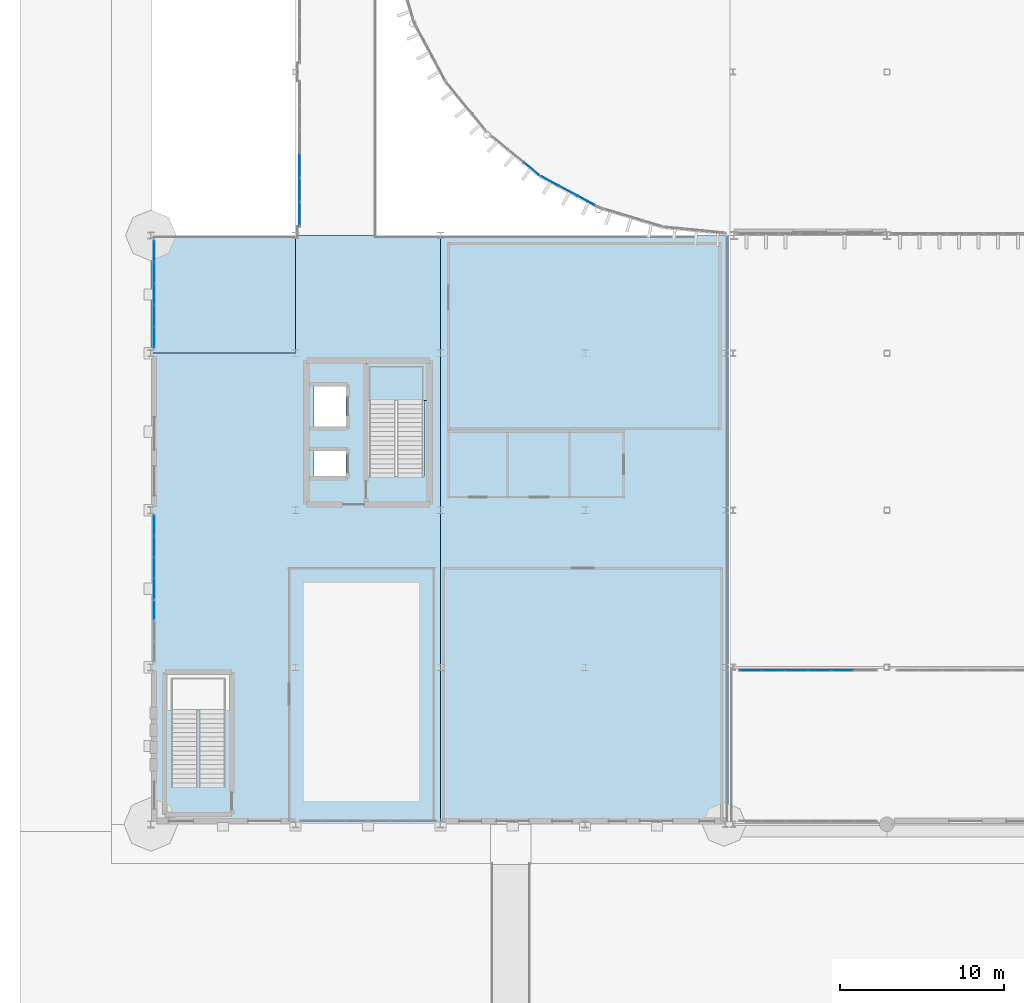
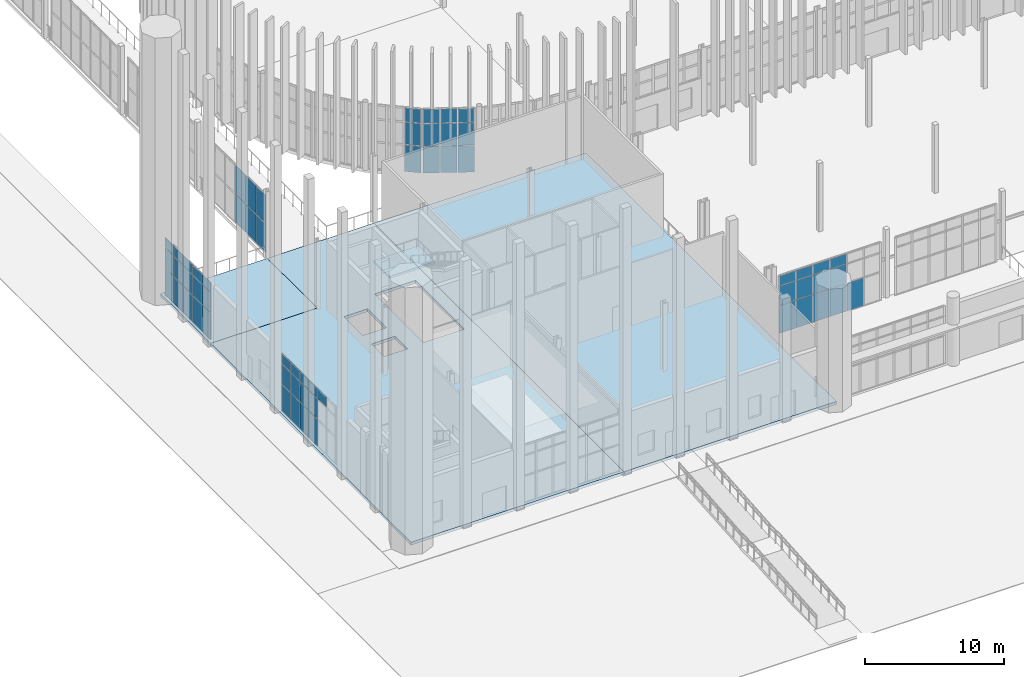
# One storey, part 69 of 139: 59 plates, 4 slabs, 7 elements without a shape of their own.
"""IFC4 building model written with IfcOpenShell, lengths in metres."""

from ifc_helpers import new_model, si_unit, direction, frame, origin, origin_2d, place, context, subcontext, project, spatial, polyline, rectangle, outline, extrude, material, layer, layer_set, type_object, element, aggregate, save


model = new_model("IFC4")

# Units and contexts
model_context = context("Model", 3, precision=1e-05, world=origin(), true_north=direction((0.0, 1.0)))
body_context = subcontext(model_context, "Body", "Model", "MODEL_VIEW")
ifc_project = project(units=[si_unit("LENGTHUNIT", "METRE"), si_unit("AREAUNIT", "SQUARE_METRE"), si_unit("VOLUMEUNIT", "CUBIC_METRE"), si_unit("PLANEANGLEUNIT", "RADIAN"), si_unit("MASSUNIT", "GRAM", prefix="KILO")], contexts=[model_context])

# Site, building, storey
site_placement = place(None, origin())
site = spatial("IfcSite", under=ifc_project, at=site_placement, CompositionType="ELEMENT")
building_placement = place(site_placement, origin())
building = spatial("IfcBuilding", under=site, at=building_placement, Name="Yeouljin Market Hall", CompositionType="ELEMENT")
storey_placement = place(building_placement, origin())
storey = spatial("IfcBuildingStorey", under=building, at=storey_placement, Name="L00", CompositionType="ELEMENT", Elevation=0.0)

# Curtain wall, plates
ifc_material_1 = material(Name="Thermally Broken Aluminium", Category="aluminium")
ifc_layer_1 = layer(ifc_material_1, 0.179931640625)
ifc_layer_set_1 = layer_set([ifc_layer_1], Name="Thermally Broken Aluminium")
curtain_wall_type_1 = type_object("IfcCurtainWallType", Name="CW_ApseCurved_System", PredefinedType="USERDEFINED", material=ifc_layer_set_1)
curtain_wall_1_placement = place(storey_placement, origin())
curtain_wall_1 = element("IfcCurtainWall", 1, at=curtain_wall_1_placement, inside=storey, type_object=curtain_wall_type_1, Name="Curtain wall CW-AP-WL00-03", ObjectType="CURTAIN WALL", PredefinedType="USERDEFINED")
ifc_material_2 = material(Name="Low-E Insulated Glass", Category="glass")
ifc_layer_2 = layer(ifc_material_2, 0.031982421875)
ifc_layer_set_2 = layer_set([ifc_layer_2], Name="Low-E Insulated Glass")
plate_type_1 = type_object("IfcPlateType", Name="CWPanel_AcousticGlass_32", PredefinedType="CURTAIN_PANEL", material=ifc_layer_set_2)
plate_1_placement = place(storey_placement, frame((26.597412109375, 38.1435546875, 0.0478515625), z_axis=(0.0, 0.0, 1.0), x_axis=(-0.881931478712, 0.471377626598, 0.0)))
plate_1 = element("IfcPlate", 2, at=plate_1_placement, type_object=plate_type_1, Name="CW-03 panel 1.1", PredefinedType="CURTAIN_PANEL", context=body_context, shape_type="SweptSolid", body=[
    extrude(rectangle(XDim=1.185791015625, YDim=0.031982421875, at=origin_2d()), origin(), (0.0, 0.0, 1.0), 2.327880859375),
])
plate_2_placement = place(storey_placement, frame((26.597412109375, 38.1435546875, 2.423828125), z_axis=(0.0, 0.0, 1.0), x_axis=(-0.881931478712, 0.471377626598, 0.0)))
plate_2 = element("IfcPlate", 3, at=plate_2_placement, type_object=plate_type_1, Name="CW-03 panel 1.2", PredefinedType="CURTAIN_PANEL", context=body_context, shape_type="SweptSolid", body=[
    extrude(rectangle(XDim=1.185791015625, YDim=0.031982421875, at=origin_2d()), origin(), (0.0, 0.0, 1.0), 1.951904296875),
])
plate_3_placement = place(storey_placement, frame((26.597412109375, 38.1435546875, 4.424072265625), z_axis=(0.0, 0.0, 1.0), x_axis=(-0.881931478712, 0.471377626598, 0.0)))
plate_3 = element("IfcPlate", 4, at=plate_3_placement, type_object=plate_type_1, Name="CW-03 panel 1.3", PredefinedType="CURTAIN_PANEL", context=body_context, shape_type="SweptSolid", body=[
    extrude(rectangle(XDim=1.185791015625, YDim=0.031982421875, at=origin_2d()), origin(), (0.0, 0.0, 1.0), 1.2080078125),
])
plate_4_placement = place(storey_placement, frame((25.498779296875, 38.730712890625, 0.0478515625), z_axis=(0.0, 0.0, 1.0), x_axis=(-0.881931478712, 0.471377626598, 0.0)))
plate_4 = element("IfcPlate", 5, at=plate_4_placement, type_object=plate_type_1, Name="CW-03 panel 2.1", PredefinedType="CURTAIN_PANEL", context=body_context, shape_type="SweptSolid", body=[
    extrude(rectangle(XDim=1.209716796875, YDim=0.031982421875, at=origin_2d()), origin(), (0.0, 0.0, 1.0), 2.327880859375),
])
plate_5_placement = place(storey_placement, frame((25.498779296875, 38.730712890625, 2.423828125), z_axis=(0.0, 0.0, 1.0), x_axis=(-0.881931478712, 0.471377626598, 0.0)))
plate_5 = element("IfcPlate", 6, at=plate_5_placement, type_object=plate_type_1, Name="CW-03 panel 2.2", PredefinedType="CURTAIN_PANEL", context=body_context, shape_type="SweptSolid", body=[
    extrude(rectangle(XDim=1.209716796875, YDim=0.031982421875, at=origin_2d()), origin(), (0.0, 0.0, 1.0), 1.951904296875),
])
plate_6_placement = place(storey_placement, frame((25.498779296875, 38.730712890625, 4.424072265625), z_axis=(0.0, 0.0, 1.0), x_axis=(-0.881931478712, 0.471377626598, 0.0)))
plate_6 = element("IfcPlate", 7, at=plate_6_placement, type_object=plate_type_1, Name="CW-03 panel 2.3", PredefinedType="CURTAIN_PANEL", context=body_context, shape_type="SweptSolid", body=[
    extrude(rectangle(XDim=1.209716796875, YDim=0.031982421875, at=origin_2d()), origin(), (0.0, 0.0, 1.0), 1.2080078125),
])
plate_7_placement = place(storey_placement, frame((24.400146484375, 39.31787109375, 0.0478515625), z_axis=(0.0, 0.0, 1.0), x_axis=(-0.881931478712, 0.471377626598, 0.0)))
plate_7 = element("IfcPlate", 8, at=plate_7_placement, type_object=plate_type_1, Name="CW-03 panel 3.1", PredefinedType="CURTAIN_PANEL", context=body_context, shape_type="SweptSolid", body=[
    extrude(rectangle(XDim=1.185791015625, YDim=0.031982421875, at=origin_2d()), origin(), (0.0, 0.0, 1.0), 2.327880859375),
])
plate_8_placement = place(storey_placement, frame((24.400146484375, 39.31787109375, 2.423828125), z_axis=(0.0, 0.0, 1.0), x_axis=(-0.881931478712, 0.471377626598, 0.0)))
plate_8 = element("IfcPlate", 9, at=plate_8_placement, type_object=plate_type_1, Name="CW-03 panel 3.2", PredefinedType="CURTAIN_PANEL", context=body_context, shape_type="SweptSolid", body=[
    extrude(rectangle(XDim=1.185791015625, YDim=0.031982421875, at=origin_2d()), origin(), (0.0, 0.0, 1.0), 1.951904296875),
])
plate_9_placement = place(storey_placement, frame((24.400146484375, 39.31787109375, 4.424072265625), z_axis=(0.0, 0.0, 1.0), x_axis=(-0.881931478712, 0.471377626598, 0.0)))
plate_9 = element("IfcPlate", 10, at=plate_9_placement, type_object=plate_type_1, Name="CW-03 panel 3.3", PredefinedType="CURTAIN_PANEL", context=body_context, shape_type="SweptSolid", body=[
    extrude(rectangle(XDim=1.185791015625, YDim=0.031982421875, at=origin_2d()), origin(), (0.0, 0.0, 1.0), 1.2080078125),
])
aggregate(curtain_wall_1, [plate_1, plate_2, plate_3, plate_4, plate_5, plate_6, plate_7, plate_8, plate_9])

curtain_wall_2_placement = place(storey_placement, origin())
curtain_wall_2 = element("IfcCurtainWall", 11, at=curtain_wall_2_placement, inside=storey, type_object=curtain_wall_type_1, Name="Curtain wall CW-AP-WL00-04", ObjectType="CURTAIN WALL", PredefinedType="USERDEFINED")
plate_10_placement = place(storey_placement, frame((23.2734375, 40.07080078125, 0.0478515625), z_axis=(0.0, 0.0, 1.0), x_axis=(-0.773017717982, 0.634384432096, 0.0)))
plate_10 = element("IfcPlate", 12, at=plate_10_placement, type_object=plate_type_1, Name="CW-03 panel 1.1", PredefinedType="CURTAIN_PANEL", context=body_context, shape_type="SweptSolid", body=[
    extrude(rectangle(XDim=1.185791015625, YDim=0.031982421875, at=origin_2d()), origin(), (0.0, 0.0, 1.0), 2.327880859375),
])
plate_11_placement = place(storey_placement, frame((23.2734375, 40.07080078125, 2.423828125), z_axis=(0.0, 0.0, 1.0), x_axis=(-0.773017717982, 0.634384432096, 0.0)))
plate_11 = element("IfcPlate", 13, at=plate_11_placement, type_object=plate_type_1, Name="CW-03 panel 1.2", PredefinedType="CURTAIN_PANEL", context=body_context, shape_type="SweptSolid", body=[
    extrude(rectangle(XDim=1.185791015625, YDim=0.031982421875, at=origin_2d()), origin(), (0.0, 0.0, 1.0), 1.951904296875),
])
plate_12_placement = place(storey_placement, frame((23.2734375, 40.07080078125, 4.424072265625), z_axis=(0.0, 0.0, 1.0), x_axis=(-0.773017717982, 0.634384432096, 0.0)))
plate_12 = element("IfcPlate", 14, at=plate_12_placement, type_object=plate_type_1, Name="CW-03 panel 1.3", PredefinedType="CURTAIN_PANEL", context=body_context, shape_type="SweptSolid", body=[
    extrude(rectangle(XDim=1.185791015625, YDim=0.031982421875, at=origin_2d()), origin(), (0.0, 0.0, 1.0), 1.2080078125),
])
aggregate(curtain_wall_2, [plate_10, plate_11, plate_12])

ifc_material_3 = material(Name="Thermally Broken Aluminium", Category="aluminium")
ifc_layer_3 = layer(ifc_material_3, 0.14990234375)
ifc_layer_set_3 = layer_set([ifc_layer_3], Name="Thermally Broken Aluminium")
curtain_wall_type_2 = type_object("IfcCurtainWallType", Name="CW_WingStorefront_System", PredefinedType="USERDEFINED", material=ifc_layer_set_3)
curtain_wall_3_placement = place(storey_placement, origin())
curtain_wall_3 = element("IfcCurtainWall", 15, at=curtain_wall_3_placement, inside=storey, type_object=curtain_wall_type_2, Name="Curtain wall CW-V2W-L00-2", ObjectType="CURTAIN WALL", PredefinedType="USERDEFINED")
ifc_material_4 = material(Name="Low-E Insulated Glass", Category="glass")
ifc_layer_4 = layer(ifc_material_4, 0.028076171875)
ifc_layer_set_4 = layer_set([ifc_layer_4], Name="Low-E Insulated Glass")
plate_type_2 = type_object("IfcPlateType", Name="CWPanel_LowE_28", PredefinedType="CURTAIN_PANEL", material=ifc_layer_set_4)
plate_13_placement = place(storey_placement, frame((0.199951171875, 13.1142578125, 4.22412109375), z_axis=(0.0, 0.0, 1.0), x_axis=(0.0, 1.0, 0.0)))
plate_13 = element("IfcPlate", 16, at=plate_13_placement, type_object=plate_type_2, Name="CW-04 panel 3.3", PredefinedType="CURTAIN_PANEL", context=body_context, shape_type="SweptSolid", body=[
    extrude(rectangle(XDim=1.23779296875, YDim=0.028076171875, at=origin_2d()), origin(), (0.0, 0.0, 1.0), 0.847900390625),
])
plate_14_placement = place(storey_placement, frame((0.199951171875, 14.39990234375, 0.0478515625), z_axis=(0.0, 0.0, 1.0), x_axis=(0.0, 1.0, 0.0)))
plate_14 = element("IfcPlate", 17, at=plate_14_placement, type_object=plate_type_2, Name="CW-04 panel 4.1", PredefinedType="CURTAIN_PANEL", context=body_context, shape_type="SweptSolid", body=[
    extrude(rectangle(XDim=1.23779296875, YDim=0.028076171875, at=origin_2d()), origin(), (0.0, 0.0, 1.0), 2.327880859375),
])
plate_15_placement = place(storey_placement, frame((0.199951171875, 14.39990234375, 2.424072265625), z_axis=(0.0, 0.0, 1.0), x_axis=(0.0, 1.0, 0.0)))
plate_15 = element("IfcPlate", 18, at=plate_15_placement, type_object=plate_type_2, Name="CW-04 panel 4.2", PredefinedType="CURTAIN_PANEL", context=body_context, shape_type="SweptSolid", body=[
    extrude(rectangle(XDim=1.23779296875, YDim=0.028076171875, at=origin_2d()), origin(), (0.0, 0.0, 1.0), 1.751953125),
])
plate_16_placement = place(storey_placement, frame((0.199951171875, 14.39990234375, 4.22412109375), z_axis=(0.0, 0.0, 1.0), x_axis=(0.0, 1.0, 0.0)))
plate_16 = element("IfcPlate", 19, at=plate_16_placement, type_object=plate_type_2, Name="CW-04 panel 4.3", PredefinedType="CURTAIN_PANEL", context=body_context, shape_type="SweptSolid", body=[
    extrude(rectangle(XDim=1.23779296875, YDim=0.028076171875, at=origin_2d()), origin(), (0.0, 0.0, 1.0), 0.847900390625),
])
plate_17_placement = place(storey_placement, frame((0.199951171875, 15.685791015625, 0.0478515625), z_axis=(0.0, 0.0, 1.0), x_axis=(0.0, 1.0, 0.0)))
plate_17 = element("IfcPlate", 20, at=plate_17_placement, type_object=plate_type_2, Name="CW-04 panel 5.1", PredefinedType="CURTAIN_PANEL", context=body_context, shape_type="SweptSolid", body=[
    extrude(rectangle(XDim=1.23779296875, YDim=0.028076171875, at=origin_2d()), origin(), (0.0, 0.0, 1.0), 2.327880859375),
])
plate_18_placement = place(storey_placement, frame((0.199951171875, 15.685791015625, 2.424072265625), z_axis=(0.0, 0.0, 1.0), x_axis=(0.0, 1.0, 0.0)))
plate_18 = element("IfcPlate", 21, at=plate_18_placement, type_object=plate_type_2, Name="CW-04 panel 5.2", PredefinedType="CURTAIN_PANEL", context=body_context, shape_type="SweptSolid", body=[
    extrude(rectangle(XDim=1.23779296875, YDim=0.028076171875, at=origin_2d()), origin(), (0.0, 0.0, 1.0), 1.751953125),
])
plate_19_placement = place(storey_placement, frame((0.199951171875, 15.685791015625, 4.22412109375), z_axis=(0.0, 0.0, 1.0), x_axis=(0.0, 1.0, 0.0)))
plate_19 = element("IfcPlate", 22, at=plate_19_placement, type_object=plate_type_2, Name="CW-04 panel 5.3", PredefinedType="CURTAIN_PANEL", context=body_context, shape_type="SweptSolid", body=[
    extrude(rectangle(XDim=1.23779296875, YDim=0.028076171875, at=origin_2d()), origin(), (0.0, 0.0, 1.0), 0.847900390625),
])
plate_20_placement = place(storey_placement, frame((0.199951171875, 16.971435546875, 0.0478515625), z_axis=(0.0, 0.0, 1.0), x_axis=(0.0, 1.0, 0.0)))
plate_20 = element("IfcPlate", 23, at=plate_20_placement, type_object=plate_type_2, Name="CW-04 panel 6.1", PredefinedType="CURTAIN_PANEL", context=body_context, shape_type="SweptSolid", body=[
    extrude(rectangle(XDim=1.23779296875, YDim=0.028076171875, at=origin_2d()), origin(), (0.0, 0.0, 1.0), 2.327880859375),
])
plate_21_placement = place(storey_placement, frame((0.199951171875, 16.971435546875, 2.424072265625), z_axis=(0.0, 0.0, 1.0), x_axis=(0.0, 1.0, 0.0)))
plate_21 = element("IfcPlate", 24, at=plate_21_placement, type_object=plate_type_2, Name="CW-04 panel 6.2", PredefinedType="CURTAIN_PANEL", context=body_context, shape_type="SweptSolid", body=[
    extrude(rectangle(XDim=1.23779296875, YDim=0.028076171875, at=origin_2d()), origin(), (0.0, 0.0, 1.0), 1.751953125),
])
plate_22_placement = place(storey_placement, frame((0.199951171875, 16.971435546875, 4.22412109375), z_axis=(0.0, 0.0, 1.0), x_axis=(0.0, 1.0, 0.0)))
plate_22 = element("IfcPlate", 25, at=plate_22_placement, type_object=plate_type_2, Name="CW-04 panel 6.3", PredefinedType="CURTAIN_PANEL", context=body_context, shape_type="SweptSolid", body=[
    extrude(rectangle(XDim=1.23779296875, YDim=0.028076171875, at=origin_2d()), origin(), (0.0, 0.0, 1.0), 0.847900390625),
])
plate_23_placement = place(storey_placement, frame((0.199951171875, 18.2451171875, 0.0478515625), z_axis=(0.0, 0.0, 1.0), x_axis=(0.0, 1.0, 0.0)))
plate_23 = element("IfcPlate", 26, at=plate_23_placement, type_object=plate_type_2, Name="CW-04 panel 7.1", PredefinedType="CURTAIN_PANEL", context=body_context, shape_type="SweptSolid", body=[
    extrude(rectangle(XDim=1.213623046875, YDim=0.028076171875, at=origin_2d()), origin(), (0.0, 0.0, 1.0), 2.327880859375),
])
plate_24_placement = place(storey_placement, frame((0.199951171875, 18.2451171875, 2.424072265625), z_axis=(0.0, 0.0, 1.0), x_axis=(0.0, 1.0, 0.0)))
plate_24 = element("IfcPlate", 27, at=plate_24_placement, type_object=plate_type_2, Name="CW-04 panel 7.2", PredefinedType="CURTAIN_PANEL", context=body_context, shape_type="SweptSolid", body=[
    extrude(rectangle(XDim=1.213623046875, YDim=0.028076171875, at=origin_2d()), origin(), (0.0, 0.0, 1.0), 1.751953125),
])
plate_25_placement = place(storey_placement, frame((0.199951171875, 18.2451171875, 4.22412109375), z_axis=(0.0, 0.0, 1.0), x_axis=(0.0, 1.0, 0.0)))
plate_25 = element("IfcPlate", 28, at=plate_25_placement, type_object=plate_type_2, Name="CW-04 panel 7.3", PredefinedType="CURTAIN_PANEL", context=body_context, shape_type="SweptSolid", body=[
    extrude(rectangle(XDim=1.213623046875, YDim=0.028076171875, at=origin_2d()), origin(), (0.0, 0.0, 1.0), 0.847900390625),
])
aggregate(curtain_wall_3, [plate_13, plate_14, plate_15, plate_16, plate_17, plate_18, plate_19, plate_20, plate_21, plate_22, plate_23, plate_24, plate_25])

curtain_wall_4_placement = place(storey_placement, origin())
curtain_wall_4 = element("IfcCurtainWall", 29, at=curtain_wall_4_placement, inside=storey, type_object=curtain_wall_type_2, Name="Curtain wall CW-V2W-L00-4", ObjectType="CURTAIN WALL", PredefinedType="USERDEFINED")
plate_26_placement = place(storey_placement, frame((0.199951171875, 29.77197265625, 0.0478515625), z_axis=(0.0, 0.0, 1.0), x_axis=(0.0, 1.0, 0.0)))
plate_26 = element("IfcPlate", 30, at=plate_26_placement, type_object=plate_type_2, Name="CW-04 panel 1.1", PredefinedType="CURTAIN_PANEL", context=body_context, shape_type="SweptSolid", body=[
    extrude(rectangle(XDim=1.248046875, YDim=0.028076171875, at=origin_2d()), origin(), (0.0, 0.0, 1.0), 2.327880859375),
])
plate_27_placement = place(storey_placement, frame((0.199951171875, 29.77197265625, 2.424072265625), z_axis=(0.0, 0.0, 1.0), x_axis=(0.0, 1.0, 0.0)))
plate_27 = element("IfcPlate", 31, at=plate_27_placement, type_object=plate_type_2, Name="CW-04 panel 1.2", PredefinedType="CURTAIN_PANEL", context=body_context, shape_type="SweptSolid", body=[
    extrude(rectangle(XDim=1.248046875, YDim=0.028076171875, at=origin_2d()), origin(), (0.0, 0.0, 1.0), 1.751953125),
])
plate_28_placement = place(storey_placement, frame((0.199951171875, 29.77197265625, 4.22412109375), z_axis=(0.0, 0.0, 1.0), x_axis=(0.0, 1.0, 0.0)))
plate_28 = element("IfcPlate", 32, at=plate_28_placement, type_object=plate_type_2, Name="CW-04 panel 1.3", PredefinedType="CURTAIN_PANEL", context=body_context, shape_type="SweptSolid", body=[
    extrude(rectangle(XDim=1.248046875, YDim=0.028076171875, at=origin_2d()), origin(), (0.0, 0.0, 1.0), 0.847900390625),
])
plate_29_placement = place(storey_placement, frame((0.199951171875, 31.080078125, 0.0478515625), z_axis=(0.0, 0.0, 1.0), x_axis=(0.0, 1.0, 0.0)))
plate_29 = element("IfcPlate", 33, at=plate_29_placement, type_object=plate_type_2, Name="CW-04 panel 2.1", PredefinedType="CURTAIN_PANEL", context=body_context, shape_type="SweptSolid", body=[
    extrude(rectangle(XDim=1.27197265625, YDim=0.028076171875, at=origin_2d()), origin(), (0.0, 0.0, 1.0), 2.327880859375),
])
plate_30_placement = place(storey_placement, frame((0.199951171875, 31.080078125, 2.424072265625), z_axis=(0.0, 0.0, 1.0), x_axis=(0.0, 1.0, 0.0)))
plate_30 = element("IfcPlate", 34, at=plate_30_placement, type_object=plate_type_2, Name="CW-04 panel 2.2", PredefinedType="CURTAIN_PANEL", context=body_context, shape_type="SweptSolid", body=[
    extrude(rectangle(XDim=1.27197265625, YDim=0.028076171875, at=origin_2d()), origin(), (0.0, 0.0, 1.0), 1.751953125),
])
plate_31_placement = place(storey_placement, frame((0.199951171875, 31.080078125, 4.22412109375), z_axis=(0.0, 0.0, 1.0), x_axis=(0.0, 1.0, 0.0)))
plate_31 = element("IfcPlate", 35, at=plate_31_placement, type_object=plate_type_2, Name="CW-04 panel 2.3", PredefinedType="CURTAIN_PANEL", context=body_context, shape_type="SweptSolid", body=[
    extrude(rectangle(XDim=1.27197265625, YDim=0.028076171875, at=origin_2d()), origin(), (0.0, 0.0, 1.0), 0.847900390625),
])
plate_32_placement = place(storey_placement, frame((0.199951171875, 32.39990234375, 0.0478515625), z_axis=(0.0, 0.0, 1.0), x_axis=(0.0, 1.0, 0.0)))
plate_32 = element("IfcPlate", 36, at=plate_32_placement, type_object=plate_type_2, Name="CW-04 panel 3.1", PredefinedType="CURTAIN_PANEL", context=body_context, shape_type="SweptSolid", body=[
    extrude(rectangle(XDim=1.27197265625, YDim=0.028076171875, at=origin_2d()), origin(), (0.0, 0.0, 1.0), 2.327880859375),
])
plate_33_placement = place(storey_placement, frame((0.199951171875, 32.39990234375, 2.424072265625), z_axis=(0.0, 0.0, 1.0), x_axis=(0.0, 1.0, 0.0)))
plate_33 = element("IfcPlate", 37, at=plate_33_placement, type_object=plate_type_2, Name="CW-04 panel 3.2", PredefinedType="CURTAIN_PANEL", context=body_context, shape_type="SweptSolid", body=[
    extrude(rectangle(XDim=1.27197265625, YDim=0.028076171875, at=origin_2d()), origin(), (0.0, 0.0, 1.0), 1.751953125),
])
plate_34_placement = place(storey_placement, frame((0.199951171875, 32.39990234375, 4.22412109375), z_axis=(0.0, 0.0, 1.0), x_axis=(0.0, 1.0, 0.0)))
plate_34 = element("IfcPlate", 38, at=plate_34_placement, type_object=plate_type_2, Name="CW-04 panel 3.3", PredefinedType="CURTAIN_PANEL", context=body_context, shape_type="SweptSolid", body=[
    extrude(rectangle(XDim=1.27197265625, YDim=0.028076171875, at=origin_2d()), origin(), (0.0, 0.0, 1.0), 0.847900390625),
])
plate_35_placement = place(storey_placement, frame((0.199951171875, 33.719970703125, 0.0478515625), z_axis=(0.0, 0.0, 1.0), x_axis=(0.0, 1.0, 0.0)))
plate_35 = element("IfcPlate", 39, at=plate_35_placement, type_object=plate_type_2, Name="CW-04 panel 4.1", PredefinedType="CURTAIN_PANEL", context=body_context, shape_type="SweptSolid", body=[
    extrude(rectangle(XDim=1.27197265625, YDim=0.028076171875, at=origin_2d()), origin(), (0.0, 0.0, 1.0), 2.327880859375),
])
plate_36_placement = place(storey_placement, frame((0.199951171875, 33.719970703125, 2.424072265625), z_axis=(0.0, 0.0, 1.0), x_axis=(0.0, 1.0, 0.0)))
plate_36 = element("IfcPlate", 40, at=plate_36_placement, type_object=plate_type_2, Name="CW-04 panel 4.2", PredefinedType="CURTAIN_PANEL", context=body_context, shape_type="SweptSolid", body=[
    extrude(rectangle(XDim=1.27197265625, YDim=0.028076171875, at=origin_2d()), origin(), (0.0, 0.0, 1.0), 1.751953125),
])
plate_37_placement = place(storey_placement, frame((0.199951171875, 33.719970703125, 4.22412109375), z_axis=(0.0, 0.0, 1.0), x_axis=(0.0, 1.0, 0.0)))
plate_37 = element("IfcPlate", 41, at=plate_37_placement, type_object=plate_type_2, Name="CW-04 panel 4.3", PredefinedType="CURTAIN_PANEL", context=body_context, shape_type="SweptSolid", body=[
    extrude(rectangle(XDim=1.27197265625, YDim=0.028076171875, at=origin_2d()), origin(), (0.0, 0.0, 1.0), 0.847900390625),
])
plate_38_placement = place(storey_placement, frame((0.199951171875, 35.028076171875, 0.0478515625), z_axis=(0.0, 0.0, 1.0), x_axis=(0.0, 1.0, 0.0)))
plate_38 = element("IfcPlate", 42, at=plate_38_placement, type_object=plate_type_2, Name="CW-04 panel 5.1", PredefinedType="CURTAIN_PANEL", context=body_context, shape_type="SweptSolid", body=[
    extrude(rectangle(XDim=1.248046875, YDim=0.028076171875, at=origin_2d()), origin(), (0.0, 0.0, 1.0), 2.327880859375),
])
plate_39_placement = place(storey_placement, frame((0.199951171875, 35.028076171875, 2.424072265625), z_axis=(0.0, 0.0, 1.0), x_axis=(0.0, 1.0, 0.0)))
plate_39 = element("IfcPlate", 43, at=plate_39_placement, type_object=plate_type_2, Name="CW-04 panel 5.2", PredefinedType="CURTAIN_PANEL", context=body_context, shape_type="SweptSolid", body=[
    extrude(rectangle(XDim=1.248046875, YDim=0.028076171875, at=origin_2d()), origin(), (0.0, 0.0, 1.0), 1.751953125),
])
plate_40_placement = place(storey_placement, frame((0.199951171875, 35.028076171875, 4.22412109375), z_axis=(0.0, 0.0, 1.0), x_axis=(0.0, 1.0, 0.0)))
plate_40 = element("IfcPlate", 44, at=plate_40_placement, type_object=plate_type_2, Name="CW-04 panel 5.3", PredefinedType="CURTAIN_PANEL", context=body_context, shape_type="SweptSolid", body=[
    extrude(rectangle(XDim=1.248046875, YDim=0.028076171875, at=origin_2d()), origin(), (0.0, 0.0, 1.0), 0.847900390625),
])
aggregate(curtain_wall_4, [plate_26, plate_27, plate_28, plate_29, plate_30, plate_31, plate_32, plate_33, plate_34, plate_35, plate_36, plate_37, plate_38, plate_39, plate_40])

ifc_material_5 = material(Name="Thermally Broken Aluminium", Category="aluminium")
ifc_layer_5 = layer(ifc_material_5, 0.14990234375)
ifc_layer_set_5 = layer_set([ifc_layer_5], Name="Thermally Broken Aluminium")
curtain_wall_type_3 = type_object("IfcCurtainWallType", Name="CW_ColonnadeScreen_System", PredefinedType="USERDEFINED", material=ifc_layer_set_5)
curtain_wall_5_placement = place(storey_placement, origin())
curtain_wall_5 = element("IfcCurtainWall", 45, at=curtain_wall_5_placement, inside=storey, type_object=curtain_wall_type_3, Name="Curtain wall CW-V5N-L00-1", ObjectType="CURTAIN WALL", PredefinedType="USERDEFINED")
plate_41_placement = place(storey_placement, frame((36.666259765625, 9.39990234375, 0.0478515625), z_axis=(0.0, 0.0, 1.0), x_axis=(1.0, 0.0, 0.0)))
plate_41 = element("IfcPlate", 46, at=plate_41_placement, type_object=plate_type_2, Name="CW-06 panel 1.1", PredefinedType="CURTAIN_PANEL", context=body_context, shape_type="SweptSolid", body=[
    extrude(rectangle(XDim=1.33642578125, YDim=0.028076171875, at=origin_2d()), origin(), (0.0, 0.0, 1.0), 2.427978515625),
])
plate_42_placement = place(storey_placement, frame((36.666259765625, 9.39990234375, 2.52392578125), z_axis=(0.0, 0.0, 1.0), x_axis=(1.0, 0.0, 0.0)))
plate_42 = element("IfcPlate", 47, at=plate_42_placement, type_object=plate_type_2, Name="CW-06 panel 1.2", PredefinedType="CURTAIN_PANEL", context=body_context, shape_type="SweptSolid", body=[
    extrude(rectangle(XDim=1.33642578125, YDim=0.028076171875, at=origin_2d()), origin(), (0.0, 0.0, 1.0), 1.652099609375),
])
plate_43_placement = place(storey_placement, frame((36.666259765625, 9.39990234375, 4.22412109375), z_axis=(0.0, 0.0, 1.0), x_axis=(1.0, 0.0, 0.0)))
plate_43 = element("IfcPlate", 48, at=plate_43_placement, type_object=plate_type_2, Name="CW-06 panel 1.3", PredefinedType="CURTAIN_PANEL", context=body_context, shape_type="SweptSolid", body=[
    extrude(rectangle(XDim=1.33642578125, YDim=0.028076171875, at=origin_2d()), origin(), (0.0, 0.0, 1.0), 0.847900390625),
])
plate_44_placement = place(storey_placement, frame((38.0625, 9.39990234375, 0.0478515625), z_axis=(0.0, 0.0, 1.0), x_axis=(1.0, 0.0, 0.0)))
plate_44 = element("IfcPlate", 49, at=plate_44_placement, type_object=plate_type_2, Name="CW-06 panel 2.1", PredefinedType="CURTAIN_PANEL", context=body_context, shape_type="SweptSolid", body=[
    extrude(rectangle(XDim=1.3603515625, YDim=0.028076171875, at=origin_2d()), origin(), (0.0, 0.0, 1.0), 2.427978515625),
])
plate_45_placement = place(storey_placement, frame((38.0625, 9.39990234375, 2.52392578125), z_axis=(0.0, 0.0, 1.0), x_axis=(1.0, 0.0, 0.0)))
plate_45 = element("IfcPlate", 50, at=plate_45_placement, type_object=plate_type_2, Name="CW-06 panel 2.2", PredefinedType="CURTAIN_PANEL", context=body_context, shape_type="SweptSolid", body=[
    extrude(rectangle(XDim=1.3603515625, YDim=0.028076171875, at=origin_2d()), origin(), (0.0, 0.0, 1.0), 1.652099609375),
])
plate_46_placement = place(storey_placement, frame((38.0625, 9.39990234375, 4.22412109375), z_axis=(0.0, 0.0, 1.0), x_axis=(1.0, 0.0, 0.0)))
plate_46 = element("IfcPlate", 51, at=plate_46_placement, type_object=plate_type_2, Name="CW-06 panel 2.3", PredefinedType="CURTAIN_PANEL", context=body_context, shape_type="SweptSolid", body=[
    extrude(rectangle(XDim=1.3603515625, YDim=0.028076171875, at=origin_2d()), origin(), (0.0, 0.0, 1.0), 0.847900390625),
])
plate_47_placement = place(storey_placement, frame((39.470947265625, 9.39990234375, 0.0478515625), z_axis=(0.0, 0.0, 1.0), x_axis=(1.0, 0.0, 0.0)))
plate_47 = element("IfcPlate", 52, at=plate_47_placement, type_object=plate_type_2, Name="CW-06 panel 3.1", PredefinedType="CURTAIN_PANEL", context=body_context, shape_type="SweptSolid", body=[
    extrude(rectangle(XDim=1.3603515625, YDim=0.028076171875, at=origin_2d()), origin(), (0.0, 0.0, 1.0), 2.427978515625),
])
plate_48_placement = place(storey_placement, frame((39.470947265625, 9.39990234375, 2.52392578125), z_axis=(0.0, 0.0, 1.0), x_axis=(1.0, 0.0, 0.0)))
plate_48 = element("IfcPlate", 53, at=plate_48_placement, type_object=plate_type_2, Name="CW-06 panel 3.2", PredefinedType="CURTAIN_PANEL", context=body_context, shape_type="SweptSolid", body=[
    extrude(rectangle(XDim=1.3603515625, YDim=0.028076171875, at=origin_2d()), origin(), (0.0, 0.0, 1.0), 1.652099609375),
])
plate_49_placement = place(storey_placement, frame((39.470947265625, 9.39990234375, 4.22412109375), z_axis=(0.0, 0.0, 1.0), x_axis=(1.0, 0.0, 0.0)))
plate_49 = element("IfcPlate", 54, at=plate_49_placement, type_object=plate_type_2, Name="CW-06 panel 3.3", PredefinedType="CURTAIN_PANEL", context=body_context, shape_type="SweptSolid", body=[
    extrude(rectangle(XDim=1.3603515625, YDim=0.028076171875, at=origin_2d()), origin(), (0.0, 0.0, 1.0), 0.847900390625),
])
plate_50_placement = place(storey_placement, frame((40.879150390625, 9.39990234375, 0.0478515625), z_axis=(0.0, 0.0, 1.0), x_axis=(1.0, 0.0, 0.0)))
plate_50 = element("IfcPlate", 55, at=plate_50_placement, type_object=plate_type_2, Name="CW-06 panel 4.1", PredefinedType="CURTAIN_PANEL", context=body_context, shape_type="SweptSolid", body=[
    extrude(rectangle(XDim=1.3603515625, YDim=0.028076171875, at=origin_2d()), origin(), (0.0, 0.0, 1.0), 2.427978515625),
])
plate_51_placement = place(storey_placement, frame((40.879150390625, 9.39990234375, 2.52392578125), z_axis=(0.0, 0.0, 1.0), x_axis=(1.0, 0.0, 0.0)))
plate_51 = element("IfcPlate", 56, at=plate_51_placement, type_object=plate_type_2, Name="CW-06 panel 4.2", PredefinedType="CURTAIN_PANEL", context=body_context, shape_type="SweptSolid", body=[
    extrude(rectangle(XDim=1.3603515625, YDim=0.028076171875, at=origin_2d()), origin(), (0.0, 0.0, 1.0), 1.652099609375),
])
plate_52_placement = place(storey_placement, frame((40.879150390625, 9.39990234375, 4.22412109375), z_axis=(0.0, 0.0, 1.0), x_axis=(1.0, 0.0, 0.0)))
plate_52 = element("IfcPlate", 57, at=plate_52_placement, type_object=plate_type_2, Name="CW-06 panel 4.3", PredefinedType="CURTAIN_PANEL", context=body_context, shape_type="SweptSolid", body=[
    extrude(rectangle(XDim=1.3603515625, YDim=0.028076171875, at=origin_2d()), origin(), (0.0, 0.0, 1.0), 0.847900390625),
])
plate_53_placement = place(storey_placement, frame((42.28759765625, 9.39990234375, 0.0478515625), z_axis=(0.0, 0.0, 1.0), x_axis=(1.0, 0.0, 0.0)))
plate_53 = element("IfcPlate", 58, at=plate_53_placement, type_object=plate_type_2, Name="CW-06 panel 5.1", PredefinedType="CURTAIN_PANEL", context=body_context, shape_type="SweptSolid", body=[
    extrude(rectangle(XDim=1.3603515625, YDim=0.028076171875, at=origin_2d()), origin(), (0.0, 0.0, 1.0), 2.427978515625),
])
aggregate(curtain_wall_5, [plate_41, plate_42, plate_43, plate_44, plate_45, plate_46, plate_47, plate_48, plate_49, plate_50, plate_51, plate_52, plate_53])

curtain_wall_6_placement = place(storey_placement, origin())
curtain_wall_6 = element("IfcCurtainWall", 59, at=curtain_wall_6_placement, inside=storey, type_object=curtain_wall_type_2, Name="Curtain wall CW-CRT-L00-05", ObjectType="CURTAIN WALL", PredefinedType="USERDEFINED")
plate_54_placement = place(storey_placement, frame((9.10009765625, 37.3037109375, 0.0478515625), z_axis=(0.0, 0.0, 1.0), x_axis=(0.0, 1.0, 0.0)))
plate_54 = element("IfcPlate", 60, at=plate_54_placement, type_object=plate_type_2, Name="CW-04 panel 1.1", PredefinedType="CURTAIN_PANEL", context=body_context, shape_type="SweptSolid", body=[
    extrude(rectangle(XDim=1.411376953125, YDim=0.028076171875, at=origin_2d()), origin(), (0.0, 0.0, 1.0), 2.488037109375),
])
plate_55_placement = place(storey_placement, frame((9.10009765625, 37.3037109375, 2.583984375), z_axis=(0.0, 0.0, 1.0), x_axis=(0.0, 1.0, 0.0)))
plate_55 = element("IfcPlate", 61, at=plate_55_placement, type_object=plate_type_2, Name="CW-04 panel 1.2", PredefinedType="CURTAIN_PANEL", context=body_context, shape_type="SweptSolid", body=[
    extrude(rectangle(XDim=1.411376953125, YDim=0.028076171875, at=origin_2d()), origin(), (0.0, 0.0, 1.0), 2.488037109375),
])
plate_56_placement = place(storey_placement, frame((9.10009765625, 38.77490234375, 0.0478515625), z_axis=(0.0, 0.0, 1.0), x_axis=(0.0, 1.0, 0.0)))
plate_56 = element("IfcPlate", 62, at=plate_56_placement, type_object=plate_type_2, Name="CW-04 panel 2.1", PredefinedType="CURTAIN_PANEL", context=body_context, shape_type="SweptSolid", body=[
    extrude(rectangle(XDim=1.435302734375, YDim=0.028076171875, at=origin_2d()), origin(), (0.0, 0.0, 1.0), 2.488037109375),
])
plate_57_placement = place(storey_placement, frame((9.10009765625, 38.77490234375, 2.583984375), z_axis=(0.0, 0.0, 1.0), x_axis=(0.0, 1.0, 0.0)))
plate_57 = element("IfcPlate", 63, at=plate_57_placement, type_object=plate_type_2, Name="CW-04 panel 2.2", PredefinedType="CURTAIN_PANEL", context=body_context, shape_type="SweptSolid", body=[
    extrude(rectangle(XDim=1.435302734375, YDim=0.028076171875, at=origin_2d()), origin(), (0.0, 0.0, 1.0), 2.488037109375),
])
plate_58_placement = place(storey_placement, frame((9.10009765625, 40.25830078125, 0.0478515625), z_axis=(0.0, 0.0, 1.0), x_axis=(0.0, 1.0, 0.0)))
plate_58 = element("IfcPlate", 64, at=plate_58_placement, type_object=plate_type_2, Name="CW-04 panel 3.1", PredefinedType="CURTAIN_PANEL", context=body_context, shape_type="SweptSolid", body=[
    extrude(rectangle(XDim=1.435302734375, YDim=0.028076171875, at=origin_2d()), origin(), (0.0, 0.0, 1.0), 2.488037109375),
])
plate_59_placement = place(storey_placement, frame((9.10009765625, 40.25830078125, 2.583984375), z_axis=(0.0, 0.0, 1.0), x_axis=(0.0, 1.0, 0.0)))
plate_59 = element("IfcPlate", 65, at=plate_59_placement, type_object=plate_type_2, Name="CW-04 panel 3.2", PredefinedType="CURTAIN_PANEL", context=body_context, shape_type="SweptSolid", body=[
    extrude(rectangle(XDim=1.435302734375, YDim=0.028076171875, at=origin_2d()), origin(), (0.0, 0.0, 1.0), 2.488037109375),
])
aggregate(curtain_wall_6, [plate_54, plate_55, plate_56, plate_57, plate_58, plate_59])

# Slabs
ifc_material_6 = material(Name="Concrete C30/37", Category="concrete")
ifc_layer_6 = layer(ifc_material_6, 0.25)
ifc_layer_set_6 = layer_set([ifc_layer_6], Name="Concrete C30/37")
slab_type_1 = type_object("IfcSlabType", Name="SLB_WING_250", PredefinedType="FLOOR", material=ifc_layer_set_6)
slab_1_placement = place(storey_placement, frame((0.0, 0.0, -0.25)))
element("IfcSlab", 66, at=slab_1_placement, inside=storey, type_object=slab_type_1, Name="Structural slab SLB-L00-WS1", PredefinedType="FLOOR", context=body_context, shape_type="SweptSolid", body=[
    extrude(outline(polyline([(0.0, 0.0), (17.699951171875, 0.0), (17.699951171875, 36.0), (8.85009765625, 36.0), (8.85009765625, 28.800048828125), (0.0, 28.800048828125), (0.0, 0.0)]), holes=[polyline([(13.300048828125, 21.25), (16.699951171875, 21.25), (16.699951171875, 28.27001953125), (13.300048828125, 28.27001953125), (13.300048828125, 21.25)]), polyline([(9.97509765625, 21.14990234375), (11.925048828125, 21.14990234375), (11.925048828125, 22.949951171875), (9.97509765625, 22.949951171875), (9.97509765625, 21.14990234375)]), polyline([(9.97509765625, 24.199951171875), (11.925048828125, 24.199951171875), (11.925048828125, 26.89990234375), (9.97509765625, 26.89990234375), (9.97509765625, 24.199951171875)])]), origin(), (0.0, 0.0, 1.0), 0.25),
])
slab_2_placement = place(storey_placement, frame((0.0, 0.0, -0.25)))
element("IfcSlab", 67, at=slab_2_placement, inside=storey, type_object=slab_type_1, Name="Structural slab SLB-L00-WS3", PredefinedType="FLOOR", context=body_context, shape_type="SweptSolid", body=[
    extrude(outline(polyline([(17.699951171875, 0.0), (35.320068359375, 0.0), (35.320068359375, 36.0), (17.699951171875, 36.0), (17.699951171875, 0.0)])), origin(), (0.0, 0.0, 1.0), 0.25),
])
ifc_material_7 = material(Name="Concrete C30/37", Category="concrete")
ifc_layer_7 = layer(ifc_material_7, 0.260009765625)
ifc_layer_set_7 = layer_set([ifc_layer_7], Name="Concrete C30/37")
slab_type_2 = type_object("IfcSlabType", Name="SLB_WING_260", PredefinedType="FLOOR", material=ifc_layer_set_7)
slab_3_placement = place(storey_placement, frame((0.0, 0.0, -0.260009765625)))
element("IfcSlab", 68, at=slab_3_placement, inside=storey, type_object=slab_type_2, Name="Structural slab SLB-L00-WS2", PredefinedType="FLOOR", context=body_context, shape_type="SweptSolid", body=[
    extrude(outline(polyline([(0.0, 28.800048828125), (8.85009765625, 28.800048828125), (8.85009765625, 36.0), (0.0, 36.0), (0.0, 28.800048828125)])), origin(), (0.0, 0.0, 1.0), 0.260009765625),
])

# Stair, slab
ifc_material_8 = material(Name="Concrete C30/37", Category="concrete")
stair_type = type_object("IfcStairType", Name="Stair_Core_L00_L01", PredefinedType="TWO_STRAIGHT_RUN_STAIR", material=ifc_material_8)
stair_placement = place(storey_placement, origin())
stair = element("IfcStair", 69, at=stair_placement, inside=storey, type_object=stair_type, Name="Enclosed exit stair ST-C1-L00", PredefinedType="TWO_STRAIGHT_RUN_STAIR")
ifc_material_9 = material(Name="Concrete C30/37", Category="concrete")
ifc_layer_8 = layer(ifc_material_9, 0.199951171875)
ifc_layer_set_8 = layer_set([ifc_layer_8], Name="Concrete C30/37")
slab_type_3 = type_object("IfcSlabType", Name="StairLanding_200", PredefinedType="LANDING", material=ifc_layer_set_8)
slab_4_placement = place(storey_placement, frame((0.0, 0.0, 2.800048828125)))
slab_4 = element("IfcSlab", 70, at=slab_4_placement, type_object=slab_type_3, Name="ST-C1-L00 landing 1", PredefinedType="LANDING", context=body_context, shape_type="SweptSolid", body=[
    extrude(outline(polyline([(13.179931640625, 25.919921875), (16.929931640625, 25.919921875), (16.929931640625, 28.22998046875), (13.179931640625, 28.22998046875), (13.179931640625, 25.919921875)])), origin(), (0.0, 0.0, 1.0), 0.199951171875),
])
aggregate(stair, [slab_4])

save(model, "model.ifc")
